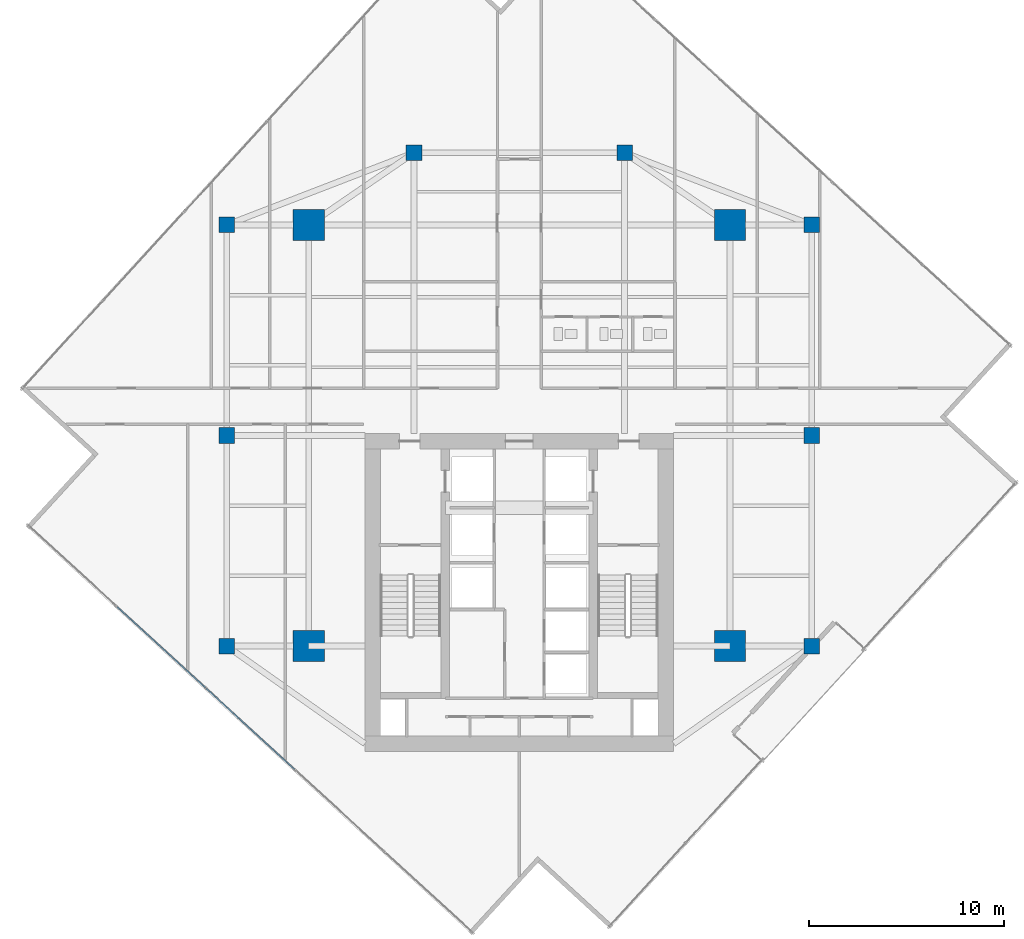
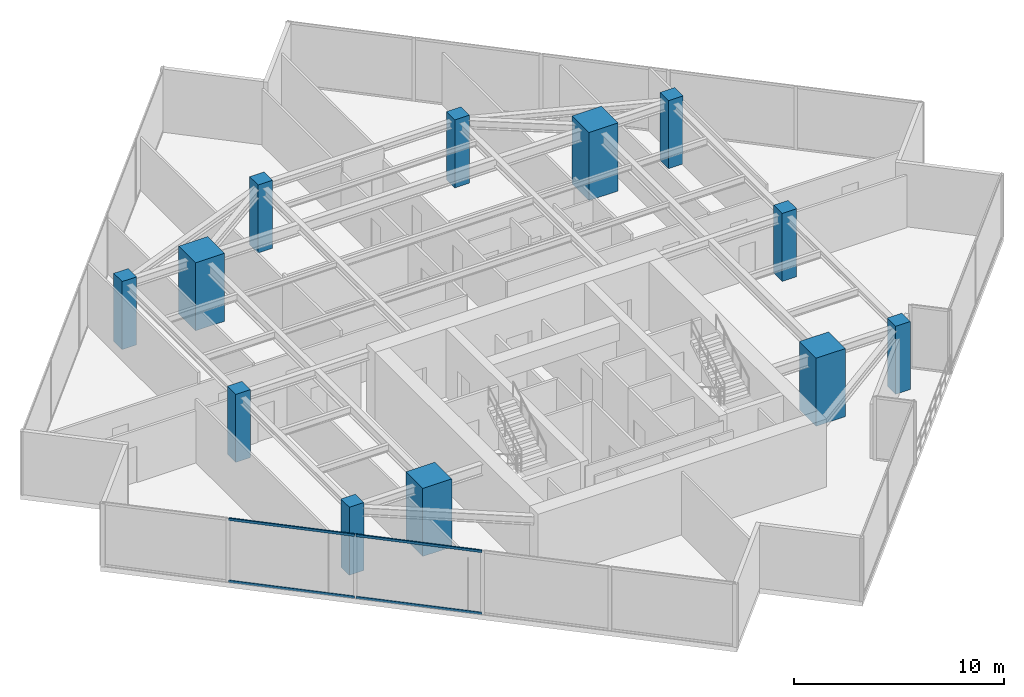
# One storey, part 1 of 26: 12 columns, 4 members, 1 element without a shape of its own.
"""IFC4 building model written with IfcOpenShell, lengths in metres."""

from ifc_helpers import new_model, si_unit, direction, frame, origin, origin_2d, place, context, subcontext, project, spatial, rectangle, hollow_rectangle, extrude, source, transform, mapped, material, material_profile, profile_set, type_object, type_shapes, element, aggregate, save


model = new_model("IFC4")

# Units and contexts
model_context = context("Model", 3, precision=1e-05, world=origin(), true_north=direction((0.0, 1.0)))
body_context = subcontext(model_context, "Body", "Model", "MODEL_VIEW")
ifc_project = project(units=[si_unit("LENGTHUNIT", "METRE"), si_unit("AREAUNIT", "SQUARE_METRE"), si_unit("VOLUMEUNIT", "CUBIC_METRE"), si_unit("PLANEANGLEUNIT", "RADIAN"), si_unit("MASSUNIT", "GRAM", prefix="KILO")], contexts=[model_context])

# Site, building, storey
site_placement = place(None, origin())
site = spatial("IfcSite", under=ifc_project, at=site_placement, CompositionType="ELEMENT")
building_placement = place(site_placement, origin())
building = spatial("IfcBuilding", under=site, at=building_placement, Name="Krantzveldt Concourse Tower", CompositionType="ELEMENT")
storey_placement = place(building_placement, frame((0.0, 0.0, 219.14990234375)))
storey = spatial("IfcBuildingStorey", under=building, at=storey_placement, Name="L53", CompositionType="ELEMENT", Elevation=219.14990234375)

# Columns
ifc_material_1 = material(Name="Concrete C50/60", Category="concrete")
ifc_material_profile_1 = material_profile(ifc_material_1, rectangle(XDim=1.60009765625, YDim=1.60009765625, at=origin_2d()), Name="Concrete C50/60", Category="concrete")
ifc_profile_set_1 = profile_set([ifc_material_profile_1], Name="Concrete C50/60 - RC 1600x1600")
column_type_1 = type_object("IfcColumnType", Name="COL-MC-1600", PredefinedType="USERDEFINED", material=ifc_profile_set_1)
shared_shape_1 = source(origin(), body_context, "Body", "SweptSolid", [
    extrude(rectangle(XDim=1.60009765625, YDim=1.60009765625, at=origin_2d()), origin(), (0.0, 0.0, 1.0), 3.9501953125),
])
type_shapes(column_type_1, [shared_shape_1])
for number, where, z_axis, x_axis, name in (
    (1, (25.199951171875, 15.89990234375, 0.0), (0.0, 0.0, 1.0), (1.0, 0.0, 0.0), "MC-SW-L53"),
    (2, (46.800048828125, 15.89990234375, 0.0), (0.0, 0.0, 1.0), (1.0, 0.0, 0.0), "MC-SE-L53"),
    (3, (46.800048828125, 37.5, 0.0), (0.0, 0.0, 1.0), (1.0, 0.0, 0.0), "MC-NE-L53"),
    (4, (25.199951171875, 37.5, 0.0), (0.0, 0.0, 1.0), (1.0, 0.0, 0.0), "MC-NW-L53"),
):
    element("IfcColumn", number, at=place(storey_placement, frame(where, z_axis=z_axis, x_axis=x_axis)), inside=storey, type_object=column_type_1, Name=name, ObjectType="MEGA COLUMN", PredefinedType="USERDEFINED", context=body_context, shape_type="MappedRepresentation", body=[
        mapped(shared_shape_1, transform((0.0, 0.0, 0.0), x_axis=(1.0, 0.0, 0.0), y_axis=(0.0, 1.0, 0.0), z_axis=(0.0, 0.0, 1.0), scale=1.0)),
    ])
ifc_material_profile_2 = material_profile(ifc_material_1, rectangle(XDim=0.800048828125, YDim=0.800048828125, at=origin_2d()), Name="Concrete C50/60", Category="concrete")
ifc_profile_set_2 = profile_set([ifc_material_profile_2], Name="Concrete C50/60 - RC 800x800")
column_type_2 = type_object("IfcColumnType", Name="COL-C-Z4", PredefinedType="COLUMN", material=ifc_profile_set_2)
shared_shape_2 = source(origin(), body_context, "Body", "SweptSolid", [
    extrude(rectangle(XDim=0.800048828125, YDim=0.800048828125, at=origin_2d()), origin(), (0.0, 0.0, 1.0), 3.9501953125),
])
type_shapes(column_type_2, [shared_shape_2])
for number, where, z_axis, x_axis, name in (
    (5, (21.0, 15.89990234375, 0.0), (0.0, 0.0, 1.0), (1.0, 0.0, 0.0), "PC-R01-L53"),
    (6, (21.0, 26.699951171875, 0.0), (0.0, 0.0, 1.0), (1.0, 0.0, 0.0), "PC-R02-L53"),
    (7, (21.0, 37.5, 0.0), (0.0, 0.0, 1.0), (1.0, 0.0, 0.0), "PC-R03-L53"),
    (8, (30.60009765625, 41.199951171875, 0.0), (0.0, 0.0, 1.0), (1.0, 0.0, 0.0), "PC-R04-L53"),
    (9, (41.39990234375, 41.199951171875, 0.0), (0.0, 0.0, 1.0), (1.0, 0.0, 0.0), "PC-R05-L53"),
    (10, (51.0, 37.5, 0.0), (0.0, 0.0, 1.0), (1.0, 0.0, 0.0), "PC-R06-L53"),
    (11, (51.0, 26.699951171875, 0.0), (0.0, 0.0, 1.0), (1.0, 0.0, 0.0), "PC-R07-L53"),
    (12, (51.0, 15.89990234375, 0.0), (0.0, 0.0, 1.0), (1.0, 0.0, 0.0), "PC-R08-L53"),
):
    element("IfcColumn", number, at=place(storey_placement, frame(where, z_axis=z_axis, x_axis=x_axis)), inside=storey, type_object=column_type_2, Name=name, PredefinedType="COLUMN", context=body_context, shape_type="MappedRepresentation", body=[
        mapped(shared_shape_2, transform((0.0, 0.0, 0.0), x_axis=(1.0, 0.0, 0.0), y_axis=(0.0, 1.0, 0.0), z_axis=(0.0, 0.0, 1.0), scale=1.0)),
    ])

# Curtain wall, members
ifc_material_2 = material(Name="Anodised aluminium 6063-T6", Category="aluminium")
curtain_wall_type = type_object("IfcCurtainWallType", Name="CW3", PredefinedType="USERDEFINED", material=ifc_material_2)
curtain_wall_placement = place(storey_placement, origin())
curtain_wall = element("IfcCurtainWall", 13, at=curtain_wall_placement, inside=storey, type_object=curtain_wall_type, Name="CW-L53-F04", ObjectType="UNITISED CURTAIN WALL", PredefinedType="USERDEFINED")
ifc_material_profile_3 = material_profile(ifc_material_2, hollow_rectangle(XDim=0.070068359375, YDim=0.139892578125, WallThickness=0.0048828125, at=origin_2d()), Name="Anodised aluminium 6063-T6", Category="aluminium")
ifc_profile_set_3 = profile_set([ifc_material_profile_3], Name="Anodised aluminium 6063-T6 - ALU-TRAN 140x70x5")
member_type = type_object("IfcMemberType", Name="CW-TRN-150", PredefinedType="USERDEFINED", material=ifc_profile_set_3)
shared_shape_3 = source(origin(), body_context, "Body", "SweptSolid", [
    extrude(hollow_rectangle(XDim=0.070068359375, YDim=0.139892578125, WallThickness=0.0048828125, at=origin_2d()), origin(), (0.0, 0.0, 1.0), 6.130126953125),
])
type_shapes(member_type, [shared_shape_3])
member_1_placement = place(storey_placement, frame((15.38037109375, 17.91162109375, 0.03515625), z_axis=(0.737259933213, -0.675609199818, 0.0), x_axis=(0.675609199818, 0.737259933213, 0.0)))
member_1 = element("IfcMember", 14, at=member_1_placement, type_object=member_type, Name="CW-Z34 transom 2.1", ObjectType="TRANSOM", PredefinedType="USERDEFINED", context=body_context, shape_type="MappedRepresentation", body=[
    mapped(shared_shape_3, transform((0.0, 0.0, 0.0), x_axis=(1.0, 0.0, 0.0), y_axis=(0.0, 1.0, 0.0), z_axis=(0.0, 0.0, 1.0), scale=1.0)),
])
member_2_placement = place(storey_placement, frame((15.38037109375, 17.91162109375, 3.635009765625), z_axis=(0.737259933213, -0.675609199818, 0.0), x_axis=(0.675609199818, 0.737259933213, 0.0)))
member_2 = element("IfcMember", 15, at=member_2_placement, type_object=member_type, Name="CW-Z34 transom 2.2", ObjectType="TRANSOM", PredefinedType="USERDEFINED", context=body_context, shape_type="MappedRepresentation", body=[
    mapped(shared_shape_3, transform((0.0, 0.0, 0.0), x_axis=(1.0, 0.0, 0.0), y_axis=(0.0, 1.0, 0.0), z_axis=(0.0, 0.0, 1.0), scale=1.0)),
])
member_3_placement = place(storey_placement, frame((19.951416015625, 13.722900390625, 0.03515625), z_axis=(0.737279770771, -0.675587551404, 0.0), x_axis=(0.675587551404, 0.737279770771, 0.0)))
member_3 = element("IfcMember", 16, at=member_3_placement, type_object=member_type, Name="CW-Z34 transom 3.1", ObjectType="TRANSOM", PredefinedType="USERDEFINED", context=body_context, shape_type="MappedRepresentation", body=[
    mapped(shared_shape_3, transform((0.0, 0.0, 0.0), x_axis=(1.0, 0.0, 0.0), y_axis=(0.0, 1.0, 0.0), z_axis=(0.0, 0.0, 1.0), scale=1.0)),
])
member_4_placement = place(storey_placement, frame((19.951416015625, 13.722900390625, 3.635009765625), z_axis=(0.737279770771, -0.675587551404, 0.0), x_axis=(0.675587551404, 0.737279770771, 0.0)))
member_4 = element("IfcMember", 17, at=member_4_placement, type_object=member_type, Name="CW-Z34 transom 3.2", ObjectType="TRANSOM", PredefinedType="USERDEFINED", context=body_context, shape_type="MappedRepresentation", body=[
    mapped(shared_shape_3, transform((0.0, 0.0, 0.0), x_axis=(1.0, 0.0, 0.0), y_axis=(0.0, 1.0, 0.0), z_axis=(0.0, 0.0, 1.0), scale=1.0)),
])
aggregate(curtain_wall, [member_1, member_2, member_3, member_4])

save(model, "model.ifc")
